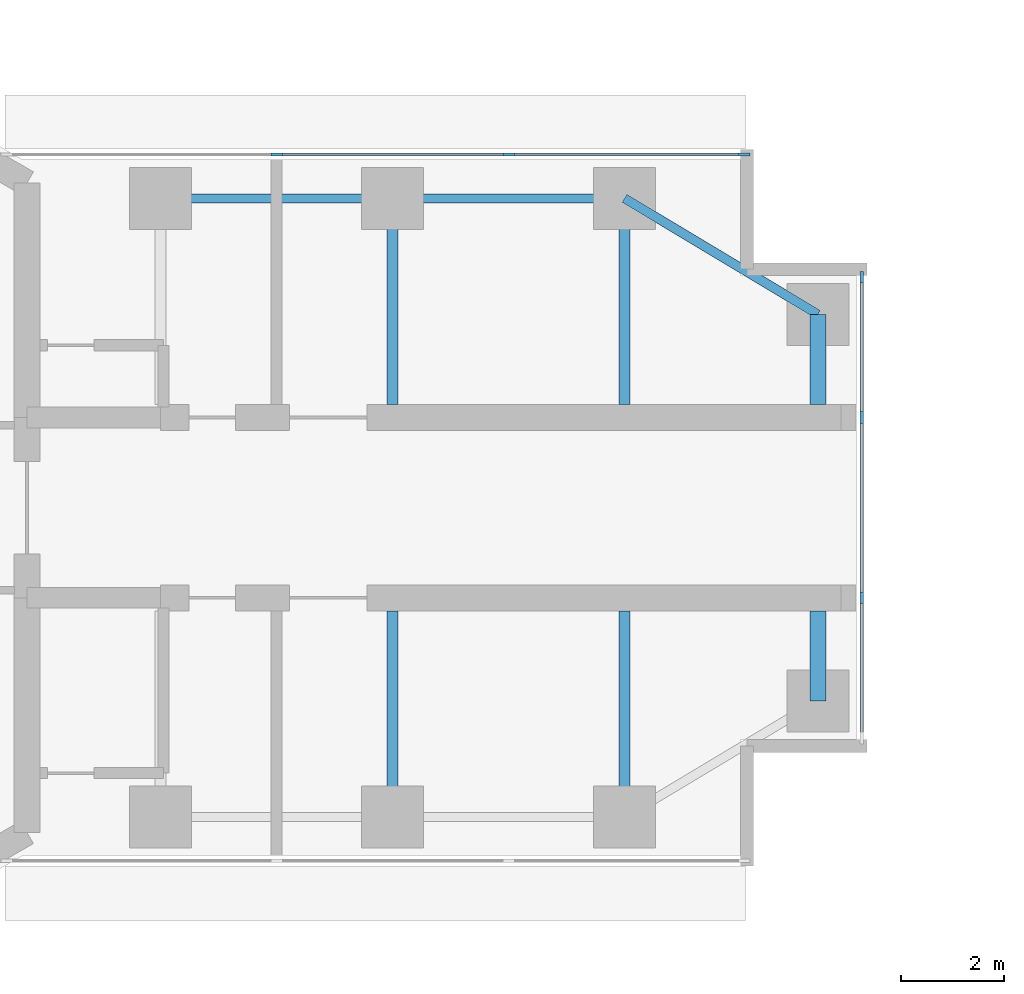
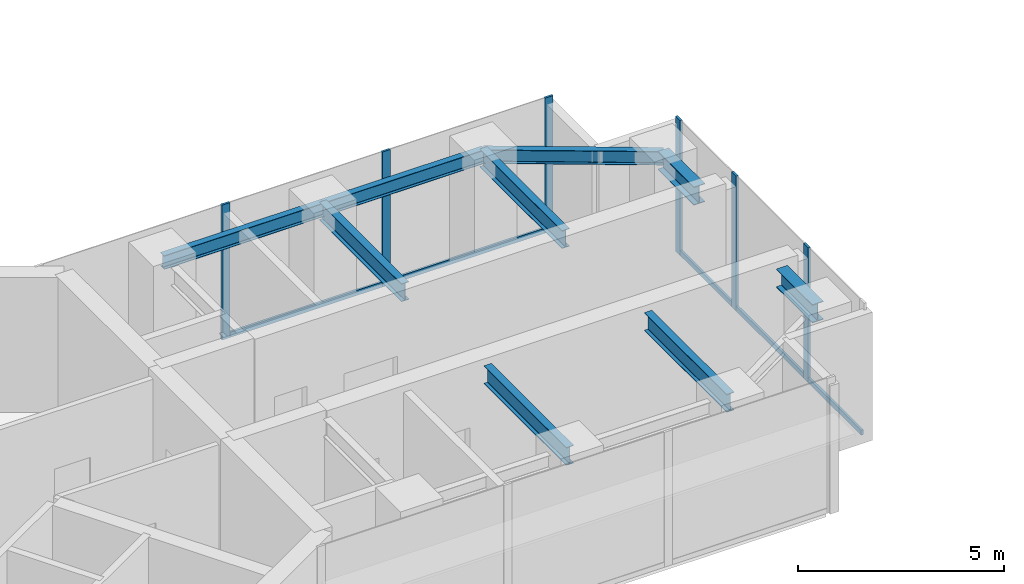
# One storey, part 7 of 17: 11 members, 9 beams, 2 elements without a shape of their own.
"""IFC4 building model written with IfcOpenShell, lengths in metres."""

from ifc_helpers import new_model, si_unit, direction, frame, origin, origin_2d, place, context, subcontext, project, spatial, rectangle, i_section, extrude, material, material_profile, profile_set, type_object, element, aggregate, save


model = new_model("IFC4")

# Units and contexts
model_context = context("Model", 3, precision=1e-05, world=origin(), true_north=direction((0.0, 1.0)))
body_context = subcontext(model_context, "Body", "Model", "MODEL_VIEW")
ifc_project = project(units=[si_unit("LENGTHUNIT", "METRE"), si_unit("AREAUNIT", "SQUARE_METRE"), si_unit("VOLUMEUNIT", "CUBIC_METRE"), si_unit("PLANEANGLEUNIT", "RADIAN"), si_unit("MASSUNIT", "GRAM", prefix="KILO")], contexts=[model_context])

# Site, building, storey
site_placement = place(None, origin())
site = spatial("IfcSite", under=ifc_project, at=site_placement, CompositionType="ELEMENT")
building_placement = place(site_placement, origin())
building = spatial("IfcBuilding", under=site, at=building_placement, Name="Upepo Twin Towers", CompositionType="ELEMENT")
storey_placement = place(building_placement, frame((0.0, 0.0, 174.5)))
storey = spatial("IfcBuildingStorey", under=building, at=storey_placement, Name="L42", CompositionType="ELEMENT", Elevation=174.5)

# Beams
ifc_material_1 = material(Name="Steel S355", Category="steel")
ifc_material_profile_1 = material_profile(ifc_material_1, i_section(OverallWidth=0.177978515625, OverallDepth=0.406494140625, WebThickness=0.0078125, FlangeThickness=0.0126953125, FilletRadius=0.01025390625, at=origin_2d()), Name="UB 406x178x60")
ifc_profile_set_1 = profile_set([ifc_material_profile_1], Name="Steel S355")
beam_type_1 = type_object("IfcBeamType", Name="Beam UB 406x178x60", PredefinedType="BEAM", material=ifc_profile_set_1)
for number, where, z_axis, x_axis, name in (
    (1, (13.5, 6.0, 3.5966796875), (1.0, 0.0, 0.0), (0.0, 1.0, 0.0), "T1 edge beam AL 13.5-18.0"),
    (2, (18.0, 6.0, 3.5966796875), (1.0, 0.0, 0.0), (0.0, 1.0, 0.0), "T1 edge beam AL 18.0-22.5"),
):
    element("IfcBeam", number, at=place(storey_placement, frame(where, z_axis=z_axis, x_axis=x_axis)), inside=storey, type_object=beam_type_1, Name=name, PredefinedType="BEAM", context=body_context, shape_type="SweptSolid", body=[
        extrude(i_section(OverallWidth=0.177978515625, OverallDepth=0.406494140625, WebThickness=0.0078125, FlangeThickness=0.0126953125, FilletRadius=0.01025390625, at=origin_2d()), origin(), (0.0, 0.0, 1.0), 4.5),
    ])
beam_placement = place(storey_placement, frame((22.5, 6.0, 3.5966796875), z_axis=(0.857492925713, -0.514495755428, 0.0), x_axis=(0.514495755428, 0.857492925713, 0.0)))
element("IfcBeam", 3, at=beam_placement, inside=storey, type_object=beam_type_1, Name="T1 nose edge beam AL", PredefinedType="BEAM", context=body_context, shape_type="SweptSolid", body=[
    extrude(i_section(OverallWidth=0.177978515625, OverallDepth=0.406494140625, WebThickness=0.0078125, FlangeThickness=0.0126953125, FilletRadius=0.01025390625, at=origin_2d()), origin(), (0.0, 0.0, 1.0), 4.373291015625),
])
ifc_material_2 = material(Name="Steel S355", Category="steel")
ifc_material_profile_2 = material_profile(ifc_material_2, i_section(OverallWidth=0.209228515625, OverallDepth=0.533203125, WebThickness=0.010009765625, FlangeThickness=0.015625, FilletRadius=0.0126953125, at=origin_2d()), Name="UB 533x210x92")
ifc_profile_set_2 = profile_set([ifc_material_profile_2], Name="Steel S355")
beam_type_2 = type_object("IfcBeamType", Name="Beam UB 533x210x92", PredefinedType="BEAM", material=ifc_profile_set_2)
for number, where, z_axis, x_axis, name in (
    (4, (18.0, 6.0, 3.533447265625), (0.0, -1.0, 0.0), (1.0, 0.0, 0.0), "T1 girder AL at 18.0"),
    (5, (22.5, 6.0, 3.533447265625), (0.0, -1.0, 0.0), (1.0, 0.0, 0.0), "T1 girder AL at 22.5"),
    (6, (18.0, -6.0, 3.533447265625), (0.0, 1.0, 0.0), (-1.0, 0.0, 0.0), "T1 girder AR at 18.0"),
    (7, (22.5, -6.0, 3.533447265625), (0.0, 1.0, 0.0), (-1.0, 0.0, 0.0), "T1 girder AR at 22.5"),
):
    element("IfcBeam", number, at=place(storey_placement, frame(where, z_axis=z_axis, x_axis=x_axis)), inside=storey, type_object=beam_type_2, Name=name, PredefinedType="BEAM", context=body_context, shape_type="SweptSolid", body=[
        extrude(i_section(OverallWidth=0.209228515625, OverallDepth=0.533203125, WebThickness=0.010009765625, FlangeThickness=0.015625, FilletRadius=0.0126953125, at=origin_2d()), origin(), (0.0, 0.0, 1.0), 4.0),
    ])
ifc_material_3 = material(Name="Steel S355", Category="steel")
ifc_material_profile_3 = material_profile(ifc_material_3, i_section(OverallWidth=0.31201171875, OverallDepth=0.54345703125, WebThickness=0.0126953125, FlangeThickness=0.020263671875, FilletRadius=0.0126953125, at=origin_2d()), Name="UB 533x312x150")
ifc_profile_set_3 = profile_set([ifc_material_profile_3], Name="Steel S355")
beam_type_3 = type_object("IfcBeamType", Name="Beam UB 533x312x150", PredefinedType="BEAM", material=ifc_profile_set_3)
for number, where, z_axis, x_axis, name in (
    (8, (26.25, 3.75, 3.5283203125), (0.0, -1.0, 0.0), (1.0, 0.0, 0.0), "T1 nose beam AL"),
    (9, (26.25, -3.75, 3.5283203125), (0.0, 1.0, 0.0), (-1.0, 0.0, 0.0), "T1 nose beam AR"),
):
    element("IfcBeam", number, at=place(storey_placement, frame(where, z_axis=z_axis, x_axis=x_axis)), inside=storey, type_object=beam_type_3, Name=name, PredefinedType="BEAM", context=body_context, shape_type="SweptSolid", body=[
        extrude(i_section(OverallWidth=0.31201171875, OverallDepth=0.54345703125, WebThickness=0.0126953125, FlangeThickness=0.020263671875, FilletRadius=0.0126953125, at=origin_2d()), origin(), (0.0, 0.0, 1.0), 1.75),
    ])

# Curtain wall, members
ifc_material_4 = material(Name="Aluminium and fritted glass", Category="aluminium")
curtain_wall_type = type_object("IfcCurtainWallType", Name="Tower curtain wall TW3, fritted glass", PredefinedType="NOTDEFINED", material=ifc_material_4)
curtain_wall_1_placement = place(storey_placement, origin())
curtain_wall_1 = element("IfcCurtainWall", 10, at=curtain_wall_1_placement, inside=storey, type_object=curtain_wall_type, Name="T1 L42 wing A flank L curtain wall", PredefinedType="NOTDEFINED")
ifc_material_5 = material(Name="Aluminium mullion", Category="aluminium")
ifc_material_profile_4 = material_profile(ifc_material_5, rectangle(XDim=0.06494140625, YDim=0.22509765625, at=origin_2d()), Name="MULLION 65x225")
ifc_profile_set_4 = profile_set([ifc_material_profile_4], Name="Aluminium mullion")
member_type_1 = type_object("IfcMemberType", Name="Mullion 65x225 TW3", PredefinedType="MULLION", material=ifc_profile_set_4)
member_1_placement = place(storey_placement, frame((15.75, 6.85009765625, 0.0), z_axis=(0.0, 0.0, 1.0), x_axis=(0.0, 1.0, 0.0)))
member_1 = element("IfcMember", 11, at=member_1_placement, type_object=member_type_1, Name="T1 L42 wing A flank L curtain wall mullion 2", PredefinedType="MULLION", context=body_context, shape_type="SweptSolid", body=[
    extrude(rectangle(XDim=0.06494140625, YDim=0.22509765625, at=origin_2d()), origin(), (0.0, 0.0, 1.0), 4.0),
])
member_2_placement = place(storey_placement, frame((20.25, 6.85009765625, 0.0), z_axis=(0.0, 0.0, 1.0), x_axis=(0.0, 1.0, 0.0)))
member_2 = element("IfcMember", 12, at=member_2_placement, type_object=member_type_1, Name="T1 L42 wing A flank L curtain wall mullion 3", PredefinedType="MULLION", context=body_context, shape_type="SweptSolid", body=[
    extrude(rectangle(XDim=0.06494140625, YDim=0.22509765625, at=origin_2d()), origin(), (0.0, 0.0, 1.0), 4.0),
])
member_3_placement = place(storey_placement, frame((24.8173828125, 6.85009765625, 0.0), z_axis=(0.0, 0.0, 1.0), x_axis=(0.0, 1.0, 0.0)))
member_3 = element("IfcMember", 13, at=member_3_placement, type_object=member_type_1, Name="T1 L42 wing A flank L curtain wall mullion 4", PredefinedType="MULLION", context=body_context, shape_type="SweptSolid", body=[
    extrude(rectangle(XDim=0.06494140625, YDim=0.22509765625, at=origin_2d()), origin(), (0.0, 0.0, 1.0), 4.0),
])

curtain_wall_2_placement = place(storey_placement, origin())
curtain_wall_2 = element("IfcCurtainWall", 14, at=curtain_wall_2_placement, inside=storey, type_object=curtain_wall_type, Name="T1 L42 wing A nose curtain wall", PredefinedType="NOTDEFINED")
member_4_placement = place(storey_placement, frame((27.10009765625, -1.75, 0.0), z_axis=(0.0, 0.0, 1.0), x_axis=(-1.0, 0.0, 0.0)))
member_4 = element("IfcMember", 15, at=member_4_placement, type_object=member_type_1, Name="T1 L42 wing A nose curtain wall mullion 2", PredefinedType="MULLION", context=body_context, shape_type="SweptSolid", body=[
    extrude(rectangle(XDim=0.06494140625, YDim=0.22509765625, at=origin_2d()), origin(), (0.0, 0.0, 1.0), 4.0),
])
member_5_placement = place(storey_placement, frame((27.10009765625, 1.75, 0.0), z_axis=(0.0, 0.0, 1.0), x_axis=(-1.0, 0.0, 0.0)))
member_5 = element("IfcMember", 16, at=member_5_placement, type_object=member_type_1, Name="T1 L42 wing A nose curtain wall mullion 3", PredefinedType="MULLION", context=body_context, shape_type="SweptSolid", body=[
    extrude(rectangle(XDim=0.06494140625, YDim=0.22509765625, at=origin_2d()), origin(), (0.0, 0.0, 1.0), 4.0),
])
member_6_placement = place(storey_placement, frame((27.10009765625, 4.467529296875, 0.0), z_axis=(0.0, 0.0, 1.0), x_axis=(-1.0, 0.0, 0.0)))
member_6 = element("IfcMember", 17, at=member_6_placement, type_object=member_type_1, Name="T1 L42 wing A nose curtain wall mullion 4", PredefinedType="MULLION", context=body_context, shape_type="SweptSolid", body=[
    extrude(rectangle(XDim=0.06494140625, YDim=0.22509765625, at=origin_2d()), origin(), (0.0, 0.0, 1.0), 4.0),
])

# Member
ifc_material_6 = material(Name="Aluminium transom", Category="aluminium")
ifc_material_profile_5 = material_profile(ifc_material_6, rectangle(XDim=0.06494140625, YDim=0.14990234375, at=origin_2d()), Name="TRANSOM 65x150")
ifc_profile_set_5 = profile_set([ifc_material_profile_5], Name="Aluminium transom")
member_type_2 = type_object("IfcMemberType", Name="Transom 65x150 TW3", PredefinedType="USERDEFINED", material=ifc_profile_set_5)
member_7_placement = place(storey_placement, frame((15.782470703125, 6.85009765625, 0.074951171875), z_axis=(1.0, 0.0, 0.0), x_axis=(0.0, 1.0, 0.0)))
member_7 = element("IfcMember", 18, at=member_7_placement, type_object=member_type_2, Name="T1 L42 wing A flank L curtain wall transom 2", ObjectType="TRANSOM", PredefinedType="USERDEFINED", context=body_context, shape_type="SweptSolid", body=[
    extrude(rectangle(XDim=0.06494140625, YDim=0.14990234375, at=origin_2d()), origin(), (0.0, 0.0, 1.0), 4.43505859375),
])

member_8_placement = place(storey_placement, frame((20.282470703125, 6.85009765625, 0.074951171875), z_axis=(1.0, 0.0, 0.0), x_axis=(0.0, 1.0, 0.0)))
member_8 = element("IfcMember", 19, at=member_8_placement, type_object=member_type_2, Name="T1 L42 wing A flank L curtain wall transom 3", ObjectType="TRANSOM", PredefinedType="USERDEFINED", context=body_context, shape_type="SweptSolid", body=[
    extrude(rectangle(XDim=0.06494140625, YDim=0.14990234375, at=origin_2d()), origin(), (0.0, 0.0, 1.0), 4.50244140625),
])

aggregate(curtain_wall_1, [member_1, member_2, member_3, member_7, member_8])

member_9_placement = place(storey_placement, frame((27.10009765625, -4.43505859375, 0.074951171875), z_axis=(0.0, 1.0, 0.0), x_axis=(-1.0, 0.0, 0.0)))
member_9 = element("IfcMember", 20, at=member_9_placement, type_object=member_type_2, Name="T1 L42 wing A nose curtain wall transom 1", ObjectType="TRANSOM", PredefinedType="USERDEFINED", context=body_context, shape_type="SweptSolid", body=[
    extrude(rectangle(XDim=0.06494140625, YDim=0.14990234375, at=origin_2d()), origin(), (0.0, 0.0, 1.0), 2.652587890625),
])

member_10_placement = place(storey_placement, frame((27.10009765625, -1.717529296875, 0.074951171875), z_axis=(0.0, 1.0, 0.0), x_axis=(-1.0, 0.0, 0.0)))
member_10 = element("IfcMember", 21, at=member_10_placement, type_object=member_type_2, Name="T1 L42 wing A nose curtain wall transom 2", ObjectType="TRANSOM", PredefinedType="USERDEFINED", context=body_context, shape_type="SweptSolid", body=[
    extrude(rectangle(XDim=0.06494140625, YDim=0.14990234375, at=origin_2d()), origin(), (0.0, 0.0, 1.0), 3.43505859375),
])

member_11_placement = place(storey_placement, frame((27.10009765625, 1.782470703125, 0.074951171875), z_axis=(0.0, 1.0, 0.0), x_axis=(-1.0, 0.0, 0.0)))
member_11 = element("IfcMember", 22, at=member_11_placement, type_object=member_type_2, Name="T1 L42 wing A nose curtain wall transom 3", ObjectType="TRANSOM", PredefinedType="USERDEFINED", context=body_context, shape_type="SweptSolid", body=[
    extrude(rectangle(XDim=0.06494140625, YDim=0.14990234375, at=origin_2d()), origin(), (0.0, 0.0, 1.0), 2.652587890625),
])

aggregate(curtain_wall_2, [member_4, member_5, member_6, member_9, member_10, member_11])

save(model, "model.ifc")
